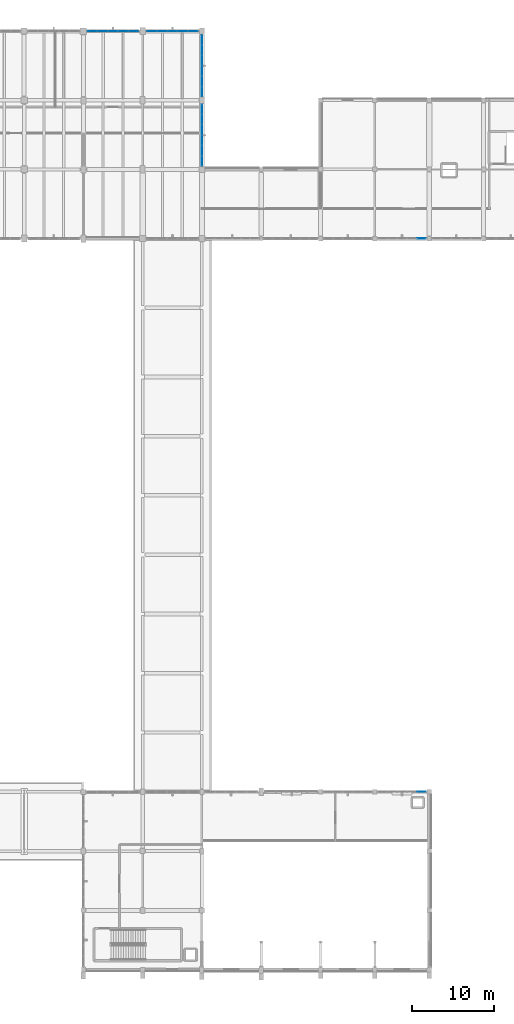
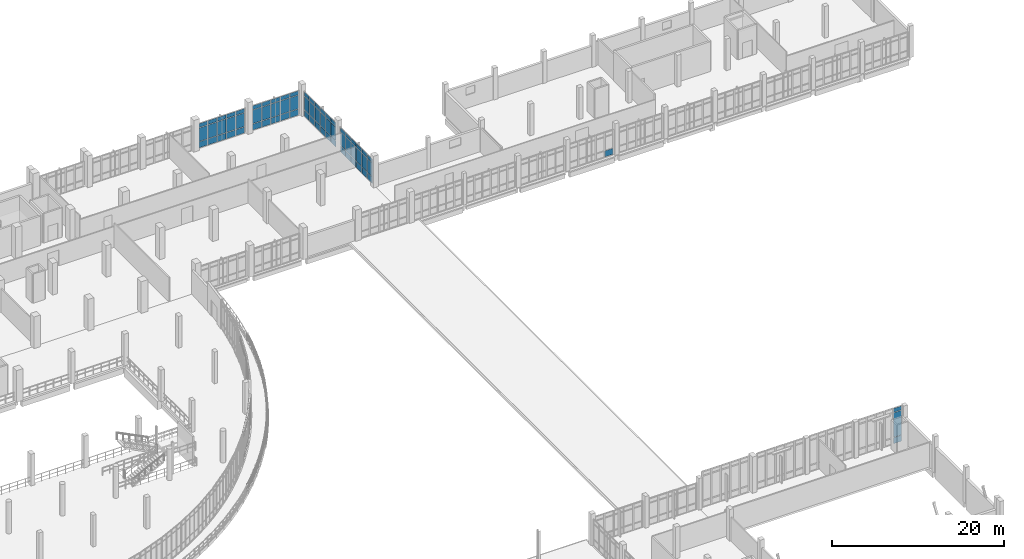
# One storey, part 107 of 134: 70 plates, 6 elements without a shape of their own.
"""IFC4 building model written with IfcOpenShell, lengths in metres."""

from ifc_helpers import new_model, si_unit, direction, frame, origin, origin_2d, place, context, subcontext, project, spatial, rectangle, extrude, material, layer, layer_set, type_object, element, aggregate, save


model = new_model("IFC4")

# Units and contexts
model_context = context("Model", 3, precision=1e-05, world=origin(), true_north=direction((0.0, 1.0)))
body_context = subcontext(model_context, "Body", "Model", "MODEL_VIEW")
ifc_project = project(units=[si_unit("LENGTHUNIT", "METRE"), si_unit("AREAUNIT", "SQUARE_METRE"), si_unit("VOLUMEUNIT", "CUBIC_METRE"), si_unit("PLANEANGLEUNIT", "RADIAN"), si_unit("MASSUNIT", "GRAM", prefix="KILO")], contexts=[model_context])

# Site, building, storey
site_placement = place(None, origin())
site = spatial("IfcSite", under=ifc_project, at=site_placement, CompositionType="ELEMENT")
building_placement = place(site_placement, origin())
building = spatial("IfcBuilding", under=site, at=building_placement, Name="Kalluvel Institute of Natural Sciences", CompositionType="ELEMENT")
storey_placement = place(building_placement, frame((0.0, 0.0, 5.39990234375)))
storey = spatial("IfcBuildingStorey", under=building, at=storey_placement, Name="L01", CompositionType="ELEMENT", Elevation=5.39990234375)

# Curtain wall, plate
ifc_material_1 = material(Name="Aluminium AW-6063 T6", Category="aluminium")
curtain_wall_type_1 = type_object("IfcCurtainWallType", Name="CW-CLN-45", PredefinedType="USERDEFINED", material=ifc_material_1)
curtain_wall_1_placement = place(storey_placement, origin())
curtain_wall_1 = element("IfcCurtainWall", 1, at=curtain_wall_1_placement, inside=storey, type_object=curtain_wall_type_1, Name="L01 Gothic lancet curtain wall CWA-L01-X1361-Y1028", ObjectType="UNITISED LANCET FACADE", PredefinedType="USERDEFINED")
ifc_material_2 = material(Name="Solar-Control Low-E Laminated Glass", Category="glass")
ifc_layer_1 = layer(ifc_material_2, 0.028076171875)
ifc_layer_set_1 = layer_set([ifc_layer_1], Name="Solar-Control Low-E Laminated Glass")
plate_type_1 = type_object("IfcPlateType", Name="CWP-DGU-28", PredefinedType="CURTAIN_PANEL", material=ifc_layer_set_1)
plate_1_placement = place(storey_placement, frame((141.4638671875, 102.800048828125, 0.065185546875), z_axis=(0.0, 0.0, 1.0), x_axis=(1.0, 0.0, 0.0)))
plate_1 = element("IfcPlate", 2, at=plate_1_placement, type_object=plate_type_1, Name="CW-08 panel 5.1", PredefinedType="CURTAIN_PANEL", context=body_context, shape_type="SweptSolid", body=[
    extrude(rectangle(XDim=1.092529296875, YDim=0.028076171875, at=origin_2d()), origin(), (0.0, 0.0, 1.0), 0.8525390625),
])
aggregate(curtain_wall_1, [plate_1])

# Curtain wall, plates
curtain_wall_type_2 = type_object("IfcCurtainWallType", Name="CW-WET-45", PredefinedType="USERDEFINED", material=ifc_material_1)
curtain_wall_2_placement = place(storey_placement, origin())
curtain_wall_2 = element("IfcCurtainWall", 3, at=curtain_wall_2_placement, inside=storey, type_object=curtain_wall_type_2, Name="L01 Gothic lancet curtain wall CWA-L01-X1008-Y1280", ObjectType="UNITISED LANCET FACADE", PredefinedType="USERDEFINED")
ifc_layer_2 = layer(ifc_material_2, 0.031982421875)
ifc_layer_set_2 = layer_set([ifc_layer_2], Name="Solar-Control Low-E Laminated Glass")
plate_type_2 = type_object("IfcPlateType", Name="CWP-DGU-32", PredefinedType="CURTAIN_PANEL", material=ifc_layer_set_2)
plate_2_placement = place(storey_placement, frame((101.49365234375, 128.0, 0.065185546875), z_axis=(0.0, 0.0, 1.0), x_axis=(1.0, 0.0, 0.0)))
plate_2 = element("IfcPlate", 4, at=plate_2_placement, type_object=plate_type_2, Name="CW-01 panel 1.1", PredefinedType="CURTAIN_PANEL", context=body_context, shape_type="SweptSolid", body=[
    extrude(rectangle(XDim=1.157470703125, YDim=0.031982421875, at=origin_2d()), origin(), (0.0, 0.0, 1.0), 0.8525390625),
])
plate_3_placement = place(storey_placement, frame((101.49365234375, 128.0, 0.982666015625), z_axis=(0.0, 0.0, 1.0), x_axis=(1.0, 0.0, 0.0)))
plate_3 = element("IfcPlate", 5, at=plate_3_placement, type_object=plate_type_2, Name="CW-01 panel 1.2", PredefinedType="CURTAIN_PANEL", context=body_context, shape_type="SweptSolid", body=[
    extrude(rectangle(XDim=1.157470703125, YDim=0.031982421875, at=origin_2d()), origin(), (0.0, 0.0, 1.0), 1.9150390625),
])
plate_4_placement = place(storey_placement, frame((101.49365234375, 128.0, 2.96240234375), z_axis=(0.0, 0.0, 1.0), x_axis=(1.0, 0.0, 0.0)))
plate_4 = element("IfcPlate", 6, at=plate_4_placement, type_object=plate_type_2, Name="CW-01 panel 1.3", PredefinedType="CURTAIN_PANEL", context=body_context, shape_type="SweptSolid", body=[
    extrude(rectangle(XDim=1.157470703125, YDim=0.031982421875, at=origin_2d()), origin(), (0.0, 0.0, 1.0), 0.552490234375),
])
plate_5_placement = place(storey_placement, frame((102.732421875, 128.0, 0.065185546875), z_axis=(0.0, 0.0, 1.0), x_axis=(1.0, 0.0, 0.0)))
plate_5 = element("IfcPlate", 7, at=plate_5_placement, type_object=plate_type_2, Name="CW-01 panel 2.1", PredefinedType="CURTAIN_PANEL", context=body_context, shape_type="SweptSolid", body=[
    extrude(rectangle(XDim=1.18994140625, YDim=0.031982421875, at=origin_2d()), origin(), (0.0, 0.0, 1.0), 0.8525390625),
])
plate_6_placement = place(storey_placement, frame((102.732421875, 128.0, 0.982666015625), z_axis=(0.0, 0.0, 1.0), x_axis=(1.0, 0.0, 0.0)))
plate_6 = element("IfcPlate", 8, at=plate_6_placement, type_object=plate_type_2, Name="CW-01 panel 2.2", PredefinedType="CURTAIN_PANEL", context=body_context, shape_type="SweptSolid", body=[
    extrude(rectangle(XDim=1.18994140625, YDim=0.031982421875, at=origin_2d()), origin(), (0.0, 0.0, 1.0), 1.9150390625),
])
plate_7_placement = place(storey_placement, frame((102.732421875, 128.0, 2.96240234375), z_axis=(0.0, 0.0, 1.0), x_axis=(1.0, 0.0, 0.0)))
plate_7 = element("IfcPlate", 9, at=plate_7_placement, type_object=plate_type_2, Name="CW-01 panel 2.3", PredefinedType="CURTAIN_PANEL", context=body_context, shape_type="SweptSolid", body=[
    extrude(rectangle(XDim=1.18994140625, YDim=0.031982421875, at=origin_2d()), origin(), (0.0, 0.0, 1.0), 0.552490234375),
])
plate_8_placement = place(storey_placement, frame((103.987548828125, 128.0, 0.065185546875), z_axis=(0.0, 0.0, 1.0), x_axis=(1.0, 0.0, 0.0)))
plate_8 = element("IfcPlate", 10, at=plate_8_placement, type_object=plate_type_2, Name="CW-01 panel 3.1", PredefinedType="CURTAIN_PANEL", context=body_context, shape_type="SweptSolid", body=[
    extrude(rectangle(XDim=1.18994140625, YDim=0.031982421875, at=origin_2d()), origin(), (0.0, 0.0, 1.0), 0.8525390625),
])
plate_9_placement = place(storey_placement, frame((103.987548828125, 128.0, 0.982666015625), z_axis=(0.0, 0.0, 1.0), x_axis=(1.0, 0.0, 0.0)))
plate_9 = element("IfcPlate", 11, at=plate_9_placement, type_object=plate_type_2, Name="CW-01 panel 3.2", PredefinedType="CURTAIN_PANEL", context=body_context, shape_type="SweptSolid", body=[
    extrude(rectangle(XDim=1.18994140625, YDim=0.031982421875, at=origin_2d()), origin(), (0.0, 0.0, 1.0), 1.9150390625),
])
plate_10_placement = place(storey_placement, frame((103.987548828125, 128.0, 2.96240234375), z_axis=(0.0, 0.0, 1.0), x_axis=(1.0, 0.0, 0.0)))
plate_10 = element("IfcPlate", 12, at=plate_10_placement, type_object=plate_type_2, Name="CW-01 panel 3.3", PredefinedType="CURTAIN_PANEL", context=body_context, shape_type="SweptSolid", body=[
    extrude(rectangle(XDim=1.18994140625, YDim=0.031982421875, at=origin_2d()), origin(), (0.0, 0.0, 1.0), 0.552490234375),
])
plate_11_placement = place(storey_placement, frame((105.242431640625, 128.0, 0.065185546875), z_axis=(0.0, 0.0, 1.0), x_axis=(1.0, 0.0, 0.0)))
plate_11 = element("IfcPlate", 13, at=plate_11_placement, type_object=plate_type_2, Name="CW-01 panel 4.1", PredefinedType="CURTAIN_PANEL", context=body_context, shape_type="SweptSolid", body=[
    extrude(rectangle(XDim=1.18994140625, YDim=0.031982421875, at=origin_2d()), origin(), (0.0, 0.0, 1.0), 0.8525390625),
])
plate_12_placement = place(storey_placement, frame((105.242431640625, 128.0, 0.982666015625), z_axis=(0.0, 0.0, 1.0), x_axis=(1.0, 0.0, 0.0)))
plate_12 = element("IfcPlate", 14, at=plate_12_placement, type_object=plate_type_2, Name="CW-01 panel 4.2", PredefinedType="CURTAIN_PANEL", context=body_context, shape_type="SweptSolid", body=[
    extrude(rectangle(XDim=1.18994140625, YDim=0.031982421875, at=origin_2d()), origin(), (0.0, 0.0, 1.0), 1.9150390625),
])
plate_13_placement = place(storey_placement, frame((105.242431640625, 128.0, 2.96240234375), z_axis=(0.0, 0.0, 1.0), x_axis=(1.0, 0.0, 0.0)))
plate_13 = element("IfcPlate", 15, at=plate_13_placement, type_object=plate_type_2, Name="CW-01 panel 4.3", PredefinedType="CURTAIN_PANEL", context=body_context, shape_type="SweptSolid", body=[
    extrude(rectangle(XDim=1.18994140625, YDim=0.031982421875, at=origin_2d()), origin(), (0.0, 0.0, 1.0), 0.552490234375),
])
plate_14_placement = place(storey_placement, frame((106.481201171875, 128.0, 0.065185546875), z_axis=(0.0, 0.0, 1.0), x_axis=(1.0, 0.0, 0.0)))
plate_14 = element("IfcPlate", 16, at=plate_14_placement, type_object=plate_type_2, Name="CW-01 panel 5.1", PredefinedType="CURTAIN_PANEL", context=body_context, shape_type="SweptSolid", body=[
    extrude(rectangle(XDim=1.157470703125, YDim=0.031982421875, at=origin_2d()), origin(), (0.0, 0.0, 1.0), 0.8525390625),
])
plate_15_placement = place(storey_placement, frame((106.481201171875, 128.0, 0.982666015625), z_axis=(0.0, 0.0, 1.0), x_axis=(1.0, 0.0, 0.0)))
plate_15 = element("IfcPlate", 17, at=plate_15_placement, type_object=plate_type_2, Name="CW-01 panel 5.2", PredefinedType="CURTAIN_PANEL", context=body_context, shape_type="SweptSolid", body=[
    extrude(rectangle(XDim=1.157470703125, YDim=0.031982421875, at=origin_2d()), origin(), (0.0, 0.0, 1.0), 1.9150390625),
])
plate_16_placement = place(storey_placement, frame((106.481201171875, 128.0, 2.96240234375), z_axis=(0.0, 0.0, 1.0), x_axis=(1.0, 0.0, 0.0)))
plate_16 = element("IfcPlate", 18, at=plate_16_placement, type_object=plate_type_2, Name="CW-01 panel 5.3", PredefinedType="CURTAIN_PANEL", context=body_context, shape_type="SweptSolid", body=[
    extrude(rectangle(XDim=1.157470703125, YDim=0.031982421875, at=origin_2d()), origin(), (0.0, 0.0, 1.0), 0.552490234375),
])
aggregate(curtain_wall_2, [plate_2, plate_3, plate_4, plate_5, plate_6, plate_7, plate_8, plate_9, plate_10, plate_11, plate_12, plate_13, plate_14, plate_15, plate_16])

curtain_wall_3_placement = place(storey_placement, origin())
curtain_wall_3 = element("IfcCurtainWall", 19, at=curtain_wall_3_placement, inside=storey, type_object=curtain_wall_type_2, Name="L01 Gothic lancet curtain wall CWA-L01-X1081-Y1280", ObjectType="UNITISED LANCET FACADE", PredefinedType="USERDEFINED")
plate_17_placement = place(storey_placement, frame((108.71875, 128.0, 0.065185546875), z_axis=(0.0, 0.0, 1.0), x_axis=(1.0, 0.0, 0.0)))
plate_17 = element("IfcPlate", 20, at=plate_17_placement, type_object=plate_type_2, Name="CW-01 panel 1.1", PredefinedType="CURTAIN_PANEL", context=body_context, shape_type="SweptSolid", body=[
    extrude(rectangle(XDim=1.157470703125, YDim=0.031982421875, at=origin_2d()), origin(), (0.0, 0.0, 1.0), 0.8525390625),
])
plate_18_placement = place(storey_placement, frame((108.71875, 128.0, 0.982666015625), z_axis=(0.0, 0.0, 1.0), x_axis=(1.0, 0.0, 0.0)))
plate_18 = element("IfcPlate", 21, at=plate_18_placement, type_object=plate_type_2, Name="CW-01 panel 1.2", PredefinedType="CURTAIN_PANEL", context=body_context, shape_type="SweptSolid", body=[
    extrude(rectangle(XDim=1.157470703125, YDim=0.031982421875, at=origin_2d()), origin(), (0.0, 0.0, 1.0), 1.9150390625),
])
plate_19_placement = place(storey_placement, frame((108.71875, 128.0, 2.96240234375), z_axis=(0.0, 0.0, 1.0), x_axis=(1.0, 0.0, 0.0)))
plate_19 = element("IfcPlate", 22, at=plate_19_placement, type_object=plate_type_2, Name="CW-01 panel 1.3", PredefinedType="CURTAIN_PANEL", context=body_context, shape_type="SweptSolid", body=[
    extrude(rectangle(XDim=1.157470703125, YDim=0.031982421875, at=origin_2d()), origin(), (0.0, 0.0, 1.0), 0.552490234375),
])
plate_20_placement = place(storey_placement, frame((109.95751953125, 128.0, 0.065185546875), z_axis=(0.0, 0.0, 1.0), x_axis=(1.0, 0.0, 0.0)))
plate_20 = element("IfcPlate", 23, at=plate_20_placement, type_object=plate_type_2, Name="CW-01 panel 2.1", PredefinedType="CURTAIN_PANEL", context=body_context, shape_type="SweptSolid", body=[
    extrude(rectangle(XDim=1.18994140625, YDim=0.031982421875, at=origin_2d()), origin(), (0.0, 0.0, 1.0), 0.8525390625),
])
plate_21_placement = place(storey_placement, frame((109.95751953125, 128.0, 0.982666015625), z_axis=(0.0, 0.0, 1.0), x_axis=(1.0, 0.0, 0.0)))
plate_21 = element("IfcPlate", 24, at=plate_21_placement, type_object=plate_type_2, Name="CW-01 panel 2.2", PredefinedType="CURTAIN_PANEL", context=body_context, shape_type="SweptSolid", body=[
    extrude(rectangle(XDim=1.18994140625, YDim=0.031982421875, at=origin_2d()), origin(), (0.0, 0.0, 1.0), 1.9150390625),
])
plate_22_placement = place(storey_placement, frame((109.95751953125, 128.0, 2.96240234375), z_axis=(0.0, 0.0, 1.0), x_axis=(1.0, 0.0, 0.0)))
plate_22 = element("IfcPlate", 25, at=plate_22_placement, type_object=plate_type_2, Name="CW-01 panel 2.3", PredefinedType="CURTAIN_PANEL", context=body_context, shape_type="SweptSolid", body=[
    extrude(rectangle(XDim=1.18994140625, YDim=0.031982421875, at=origin_2d()), origin(), (0.0, 0.0, 1.0), 0.552490234375),
])
plate_23_placement = place(storey_placement, frame((111.21240234375, 128.0, 0.065185546875), z_axis=(0.0, 0.0, 1.0), x_axis=(1.0, 0.0, 0.0)))
plate_23 = element("IfcPlate", 26, at=plate_23_placement, type_object=plate_type_2, Name="CW-01 panel 3.1", PredefinedType="CURTAIN_PANEL", context=body_context, shape_type="SweptSolid", body=[
    extrude(rectangle(XDim=1.18994140625, YDim=0.031982421875, at=origin_2d()), origin(), (0.0, 0.0, 1.0), 0.8525390625),
])
plate_24_placement = place(storey_placement, frame((111.21240234375, 128.0, 0.982666015625), z_axis=(0.0, 0.0, 1.0), x_axis=(1.0, 0.0, 0.0)))
plate_24 = element("IfcPlate", 27, at=plate_24_placement, type_object=plate_type_2, Name="CW-01 panel 3.2", PredefinedType="CURTAIN_PANEL", context=body_context, shape_type="SweptSolid", body=[
    extrude(rectangle(XDim=1.18994140625, YDim=0.031982421875, at=origin_2d()), origin(), (0.0, 0.0, 1.0), 1.9150390625),
])
plate_25_placement = place(storey_placement, frame((111.21240234375, 128.0, 2.96240234375), z_axis=(0.0, 0.0, 1.0), x_axis=(1.0, 0.0, 0.0)))
plate_25 = element("IfcPlate", 28, at=plate_25_placement, type_object=plate_type_2, Name="CW-01 panel 3.3", PredefinedType="CURTAIN_PANEL", context=body_context, shape_type="SweptSolid", body=[
    extrude(rectangle(XDim=1.18994140625, YDim=0.031982421875, at=origin_2d()), origin(), (0.0, 0.0, 1.0), 0.552490234375),
])
plate_26_placement = place(storey_placement, frame((112.467529296875, 128.0, 0.065185546875), z_axis=(0.0, 0.0, 1.0), x_axis=(1.0, 0.0, 0.0)))
plate_26 = element("IfcPlate", 29, at=plate_26_placement, type_object=plate_type_2, Name="CW-01 panel 4.1", PredefinedType="CURTAIN_PANEL", context=body_context, shape_type="SweptSolid", body=[
    extrude(rectangle(XDim=1.18994140625, YDim=0.031982421875, at=origin_2d()), origin(), (0.0, 0.0, 1.0), 0.8525390625),
])
plate_27_placement = place(storey_placement, frame((112.467529296875, 128.0, 0.982666015625), z_axis=(0.0, 0.0, 1.0), x_axis=(1.0, 0.0, 0.0)))
plate_27 = element("IfcPlate", 30, at=plate_27_placement, type_object=plate_type_2, Name="CW-01 panel 4.2", PredefinedType="CURTAIN_PANEL", context=body_context, shape_type="SweptSolid", body=[
    extrude(rectangle(XDim=1.18994140625, YDim=0.031982421875, at=origin_2d()), origin(), (0.0, 0.0, 1.0), 1.9150390625),
])
plate_28_placement = place(storey_placement, frame((112.467529296875, 128.0, 2.96240234375), z_axis=(0.0, 0.0, 1.0), x_axis=(1.0, 0.0, 0.0)))
plate_28 = element("IfcPlate", 31, at=plate_28_placement, type_object=plate_type_2, Name="CW-01 panel 4.3", PredefinedType="CURTAIN_PANEL", context=body_context, shape_type="SweptSolid", body=[
    extrude(rectangle(XDim=1.18994140625, YDim=0.031982421875, at=origin_2d()), origin(), (0.0, 0.0, 1.0), 0.552490234375),
])
plate_29_placement = place(storey_placement, frame((113.706298828125, 128.0, 0.065185546875), z_axis=(0.0, 0.0, 1.0), x_axis=(1.0, 0.0, 0.0)))
plate_29 = element("IfcPlate", 32, at=plate_29_placement, type_object=plate_type_2, Name="CW-01 panel 5.1", PredefinedType="CURTAIN_PANEL", context=body_context, shape_type="SweptSolid", body=[
    extrude(rectangle(XDim=1.157470703125, YDim=0.031982421875, at=origin_2d()), origin(), (0.0, 0.0, 1.0), 0.8525390625),
])
plate_30_placement = place(storey_placement, frame((113.706298828125, 128.0, 0.982666015625), z_axis=(0.0, 0.0, 1.0), x_axis=(1.0, 0.0, 0.0)))
plate_30 = element("IfcPlate", 33, at=plate_30_placement, type_object=plate_type_2, Name="CW-01 panel 5.2", PredefinedType="CURTAIN_PANEL", context=body_context, shape_type="SweptSolid", body=[
    extrude(rectangle(XDim=1.157470703125, YDim=0.031982421875, at=origin_2d()), origin(), (0.0, 0.0, 1.0), 1.9150390625),
])
plate_31_placement = place(storey_placement, frame((113.706298828125, 128.0, 2.96240234375), z_axis=(0.0, 0.0, 1.0), x_axis=(1.0, 0.0, 0.0)))
plate_31 = element("IfcPlate", 34, at=plate_31_placement, type_object=plate_type_2, Name="CW-01 panel 5.3", PredefinedType="CURTAIN_PANEL", context=body_context, shape_type="SweptSolid", body=[
    extrude(rectangle(XDim=1.157470703125, YDim=0.031982421875, at=origin_2d()), origin(), (0.0, 0.0, 1.0), 0.552490234375),
])
aggregate(curtain_wall_3, [plate_17, plate_18, plate_19, plate_20, plate_21, plate_22, plate_23, plate_24, plate_25, plate_26, plate_27, plate_28, plate_29, plate_30, plate_31])

curtain_wall_4_placement = place(storey_placement, origin())
curtain_wall_4 = element("IfcCurtainWall", 35, at=curtain_wall_4_placement, inside=storey, type_object=curtain_wall_type_2, Name="L01 Gothic lancet curtain wall CWA-L01-X1148-Y1116", ObjectType="UNITISED LANCET FACADE", PredefinedType="USERDEFINED")
plate_32_placement = place(storey_placement, frame((114.800048828125, 112.245361328125, 0.065185546875), z_axis=(0.0, 0.0, 1.0), x_axis=(0.0, 1.0, 0.0)))
plate_32 = element("IfcPlate", 36, at=plate_32_placement, type_object=plate_type_2, Name="CW-01 panel 1.1", PredefinedType="CURTAIN_PANEL", context=body_context, shape_type="SweptSolid", body=[
    extrude(rectangle(XDim=1.160888671875, YDim=0.031982421875, at=origin_2d()), origin(), (0.0, 0.0, 1.0), 0.8525390625),
])
plate_33_placement = place(storey_placement, frame((114.800048828125, 112.245361328125, 0.982666015625), z_axis=(0.0, 0.0, 1.0), x_axis=(0.0, 1.0, 0.0)))
plate_33 = element("IfcPlate", 37, at=plate_33_placement, type_object=plate_type_2, Name="CW-01 panel 1.2", PredefinedType="CURTAIN_PANEL", context=body_context, shape_type="SweptSolid", body=[
    extrude(rectangle(XDim=1.160888671875, YDim=0.031982421875, at=origin_2d()), origin(), (0.0, 0.0, 1.0), 1.9150390625),
])
plate_34_placement = place(storey_placement, frame((114.800048828125, 112.245361328125, 2.96240234375), z_axis=(0.0, 0.0, 1.0), x_axis=(0.0, 1.0, 0.0)))
plate_34 = element("IfcPlate", 38, at=plate_34_placement, type_object=plate_type_2, Name="CW-01 panel 1.3", PredefinedType="CURTAIN_PANEL", context=body_context, shape_type="SweptSolid", body=[
    extrude(rectangle(XDim=1.160888671875, YDim=0.031982421875, at=origin_2d()), origin(), (0.0, 0.0, 1.0), 0.552490234375),
])
plate_35_placement = place(storey_placement, frame((114.800048828125, 113.487548828125, 0.065185546875), z_axis=(0.0, 0.0, 1.0), x_axis=(0.0, 1.0, 0.0)))
plate_35 = element("IfcPlate", 39, at=plate_35_placement, type_object=plate_type_2, Name="CW-01 panel 2.1", PredefinedType="CURTAIN_PANEL", context=body_context, shape_type="SweptSolid", body=[
    extrude(rectangle(XDim=1.193359375, YDim=0.031982421875, at=origin_2d()), origin(), (0.0, 0.0, 1.0), 0.8525390625),
])
plate_36_placement = place(storey_placement, frame((114.800048828125, 113.487548828125, 0.982666015625), z_axis=(0.0, 0.0, 1.0), x_axis=(0.0, 1.0, 0.0)))
plate_36 = element("IfcPlate", 40, at=plate_36_placement, type_object=plate_type_2, Name="CW-01 panel 2.2", PredefinedType="CURTAIN_PANEL", context=body_context, shape_type="SweptSolid", body=[
    extrude(rectangle(XDim=1.193359375, YDim=0.031982421875, at=origin_2d()), origin(), (0.0, 0.0, 1.0), 1.9150390625),
])
plate_37_placement = place(storey_placement, frame((114.800048828125, 113.487548828125, 2.96240234375), z_axis=(0.0, 0.0, 1.0), x_axis=(0.0, 1.0, 0.0)))
plate_37 = element("IfcPlate", 41, at=plate_37_placement, type_object=plate_type_2, Name="CW-01 panel 2.3", PredefinedType="CURTAIN_PANEL", context=body_context, shape_type="SweptSolid", body=[
    extrude(rectangle(XDim=1.193359375, YDim=0.031982421875, at=origin_2d()), origin(), (0.0, 0.0, 1.0), 0.552490234375),
])
plate_38_placement = place(storey_placement, frame((114.800048828125, 114.745849609375, 0.065185546875), z_axis=(0.0, 0.0, 1.0), x_axis=(0.0, 1.0, 0.0)))
plate_38 = element("IfcPlate", 42, at=plate_38_placement, type_object=plate_type_2, Name="CW-01 panel 3.1", PredefinedType="CURTAIN_PANEL", context=body_context, shape_type="SweptSolid", body=[
    extrude(rectangle(XDim=1.193359375, YDim=0.031982421875, at=origin_2d()), origin(), (0.0, 0.0, 1.0), 0.8525390625),
])
plate_39_placement = place(storey_placement, frame((114.800048828125, 114.745849609375, 0.982666015625), z_axis=(0.0, 0.0, 1.0), x_axis=(0.0, 1.0, 0.0)))
plate_39 = element("IfcPlate", 43, at=plate_39_placement, type_object=plate_type_2, Name="CW-01 panel 3.2", PredefinedType="CURTAIN_PANEL", context=body_context, shape_type="SweptSolid", body=[
    extrude(rectangle(XDim=1.193359375, YDim=0.031982421875, at=origin_2d()), origin(), (0.0, 0.0, 1.0), 1.9150390625),
])
plate_40_placement = place(storey_placement, frame((114.800048828125, 114.745849609375, 2.96240234375), z_axis=(0.0, 0.0, 1.0), x_axis=(0.0, 1.0, 0.0)))
plate_40 = element("IfcPlate", 44, at=plate_40_placement, type_object=plate_type_2, Name="CW-01 panel 3.3", PredefinedType="CURTAIN_PANEL", context=body_context, shape_type="SweptSolid", body=[
    extrude(rectangle(XDim=1.193359375, YDim=0.031982421875, at=origin_2d()), origin(), (0.0, 0.0, 1.0), 0.552490234375),
])
plate_41_placement = place(storey_placement, frame((114.800048828125, 116.004150390625, 0.065185546875), z_axis=(0.0, 0.0, 1.0), x_axis=(0.0, 1.0, 0.0)))
plate_41 = element("IfcPlate", 45, at=plate_41_placement, type_object=plate_type_2, Name="CW-01 panel 4.1", PredefinedType="CURTAIN_PANEL", context=body_context, shape_type="SweptSolid", body=[
    extrude(rectangle(XDim=1.193359375, YDim=0.031982421875, at=origin_2d()), origin(), (0.0, 0.0, 1.0), 0.8525390625),
])
plate_42_placement = place(storey_placement, frame((114.800048828125, 116.004150390625, 0.982666015625), z_axis=(0.0, 0.0, 1.0), x_axis=(0.0, 1.0, 0.0)))
plate_42 = element("IfcPlate", 46, at=plate_42_placement, type_object=plate_type_2, Name="CW-01 panel 4.2", PredefinedType="CURTAIN_PANEL", context=body_context, shape_type="SweptSolid", body=[
    extrude(rectangle(XDim=1.193359375, YDim=0.031982421875, at=origin_2d()), origin(), (0.0, 0.0, 1.0), 1.9150390625),
])
plate_43_placement = place(storey_placement, frame((114.800048828125, 116.004150390625, 2.96240234375), z_axis=(0.0, 0.0, 1.0), x_axis=(0.0, 1.0, 0.0)))
plate_43 = element("IfcPlate", 47, at=plate_43_placement, type_object=plate_type_2, Name="CW-01 panel 4.3", PredefinedType="CURTAIN_PANEL", context=body_context, shape_type="SweptSolid", body=[
    extrude(rectangle(XDim=1.193359375, YDim=0.031982421875, at=origin_2d()), origin(), (0.0, 0.0, 1.0), 0.552490234375),
])
plate_44_placement = place(storey_placement, frame((114.800048828125, 117.262451171875, 0.065185546875), z_axis=(0.0, 0.0, 1.0), x_axis=(0.0, 1.0, 0.0)))
plate_44 = element("IfcPlate", 48, at=plate_44_placement, type_object=plate_type_2, Name="CW-01 panel 5.1", PredefinedType="CURTAIN_PANEL", context=body_context, shape_type="SweptSolid", body=[
    extrude(rectangle(XDim=1.193359375, YDim=0.031982421875, at=origin_2d()), origin(), (0.0, 0.0, 1.0), 0.8525390625),
])
plate_45_placement = place(storey_placement, frame((114.800048828125, 117.262451171875, 0.982666015625), z_axis=(0.0, 0.0, 1.0), x_axis=(0.0, 1.0, 0.0)))
plate_45 = element("IfcPlate", 49, at=plate_45_placement, type_object=plate_type_2, Name="CW-01 panel 5.2", PredefinedType="CURTAIN_PANEL", context=body_context, shape_type="SweptSolid", body=[
    extrude(rectangle(XDim=1.193359375, YDim=0.031982421875, at=origin_2d()), origin(), (0.0, 0.0, 1.0), 1.9150390625),
])
plate_46_placement = place(storey_placement, frame((114.800048828125, 117.262451171875, 2.96240234375), z_axis=(0.0, 0.0, 1.0), x_axis=(0.0, 1.0, 0.0)))
plate_46 = element("IfcPlate", 50, at=plate_46_placement, type_object=plate_type_2, Name="CW-01 panel 5.3", PredefinedType="CURTAIN_PANEL", context=body_context, shape_type="SweptSolid", body=[
    extrude(rectangle(XDim=1.193359375, YDim=0.031982421875, at=origin_2d()), origin(), (0.0, 0.0, 1.0), 0.552490234375),
])
plate_47_placement = place(storey_placement, frame((114.800048828125, 118.504638671875, 0.065185546875), z_axis=(0.0, 0.0, 1.0), x_axis=(0.0, 1.0, 0.0)))
plate_47 = element("IfcPlate", 51, at=plate_47_placement, type_object=plate_type_2, Name="CW-01 panel 6.1", PredefinedType="CURTAIN_PANEL", context=body_context, shape_type="SweptSolid", body=[
    extrude(rectangle(XDim=1.160888671875, YDim=0.031982421875, at=origin_2d()), origin(), (0.0, 0.0, 1.0), 0.8525390625),
])
plate_48_placement = place(storey_placement, frame((114.800048828125, 118.504638671875, 0.982666015625), z_axis=(0.0, 0.0, 1.0), x_axis=(0.0, 1.0, 0.0)))
plate_48 = element("IfcPlate", 52, at=plate_48_placement, type_object=plate_type_2, Name="CW-01 panel 6.2", PredefinedType="CURTAIN_PANEL", context=body_context, shape_type="SweptSolid", body=[
    extrude(rectangle(XDim=1.160888671875, YDim=0.031982421875, at=origin_2d()), origin(), (0.0, 0.0, 1.0), 1.9150390625),
])
plate_49_placement = place(storey_placement, frame((114.800048828125, 118.504638671875, 2.96240234375), z_axis=(0.0, 0.0, 1.0), x_axis=(0.0, 1.0, 0.0)))
plate_49 = element("IfcPlate", 53, at=plate_49_placement, type_object=plate_type_2, Name="CW-01 panel 6.3", PredefinedType="CURTAIN_PANEL", context=body_context, shape_type="SweptSolid", body=[
    extrude(rectangle(XDim=1.160888671875, YDim=0.031982421875, at=origin_2d()), origin(), (0.0, 0.0, 1.0), 0.552490234375),
])
aggregate(curtain_wall_4, [plate_32, plate_33, plate_34, plate_35, plate_36, plate_37, plate_38, plate_39, plate_40, plate_41, plate_42, plate_43, plate_44, plate_45, plate_46, plate_47, plate_48, plate_49])

curtain_wall_5_placement = place(storey_placement, origin())
curtain_wall_5 = element("IfcCurtainWall", 54, at=curtain_wall_5_placement, inside=storey, type_object=curtain_wall_type_2, Name="L01 Gothic lancet curtain wall CWA-L01-X1148-Y1200", ObjectType="UNITISED LANCET FACADE", PredefinedType="USERDEFINED")
plate_50_placement = place(storey_placement, frame((114.800048828125, 120.691162109375, 0.065185546875), z_axis=(0.0, 0.0, 1.0), x_axis=(0.0, 1.0, 0.0)))
plate_50 = element("IfcPlate", 55, at=plate_50_placement, type_object=plate_type_2, Name="CW-01 panel 1.1", PredefinedType="CURTAIN_PANEL", context=body_context, shape_type="SweptSolid", body=[
    extrude(rectangle(XDim=1.152587890625, YDim=0.031982421875, at=origin_2d()), origin(), (0.0, 0.0, 1.0), 0.8525390625),
])
plate_51_placement = place(storey_placement, frame((114.800048828125, 120.691162109375, 0.982666015625), z_axis=(0.0, 0.0, 1.0), x_axis=(0.0, 1.0, 0.0)))
plate_51 = element("IfcPlate", 56, at=plate_51_placement, type_object=plate_type_2, Name="CW-01 panel 1.2", PredefinedType="CURTAIN_PANEL", context=body_context, shape_type="SweptSolid", body=[
    extrude(rectangle(XDim=1.152587890625, YDim=0.031982421875, at=origin_2d()), origin(), (0.0, 0.0, 1.0), 1.9150390625),
])
plate_52_placement = place(storey_placement, frame((114.800048828125, 120.691162109375, 2.96240234375), z_axis=(0.0, 0.0, 1.0), x_axis=(0.0, 1.0, 0.0)))
plate_52 = element("IfcPlate", 57, at=plate_52_placement, type_object=plate_type_2, Name="CW-01 panel 1.3", PredefinedType="CURTAIN_PANEL", context=body_context, shape_type="SweptSolid", body=[
    extrude(rectangle(XDim=1.152587890625, YDim=0.031982421875, at=origin_2d()), origin(), (0.0, 0.0, 1.0), 0.552490234375),
])
plate_53_placement = place(storey_placement, frame((114.800048828125, 121.925048828125, 0.065185546875), z_axis=(0.0, 0.0, 1.0), x_axis=(0.0, 1.0, 0.0)))
plate_53 = element("IfcPlate", 58, at=plate_53_placement, type_object=plate_type_2, Name="CW-01 panel 2.1", PredefinedType="CURTAIN_PANEL", context=body_context, shape_type="SweptSolid", body=[
    extrude(rectangle(XDim=1.18505859375, YDim=0.031982421875, at=origin_2d()), origin(), (0.0, 0.0, 1.0), 0.8525390625),
])
plate_54_placement = place(storey_placement, frame((114.800048828125, 121.925048828125, 0.982666015625), z_axis=(0.0, 0.0, 1.0), x_axis=(0.0, 1.0, 0.0)))
plate_54 = element("IfcPlate", 59, at=plate_54_placement, type_object=plate_type_2, Name="CW-01 panel 2.2", PredefinedType="CURTAIN_PANEL", context=body_context, shape_type="SweptSolid", body=[
    extrude(rectangle(XDim=1.18505859375, YDim=0.031982421875, at=origin_2d()), origin(), (0.0, 0.0, 1.0), 1.9150390625),
])
plate_55_placement = place(storey_placement, frame((114.800048828125, 121.925048828125, 2.96240234375), z_axis=(0.0, 0.0, 1.0), x_axis=(0.0, 1.0, 0.0)))
plate_55 = element("IfcPlate", 60, at=plate_55_placement, type_object=plate_type_2, Name="CW-01 panel 2.3", PredefinedType="CURTAIN_PANEL", context=body_context, shape_type="SweptSolid", body=[
    extrude(rectangle(XDim=1.18505859375, YDim=0.031982421875, at=origin_2d()), origin(), (0.0, 0.0, 1.0), 0.552490234375),
])
plate_56_placement = place(storey_placement, frame((114.800048828125, 123.175048828125, 0.065185546875), z_axis=(0.0, 0.0, 1.0), x_axis=(0.0, 1.0, 0.0)))
plate_56 = element("IfcPlate", 61, at=plate_56_placement, type_object=plate_type_2, Name="CW-01 panel 3.1", PredefinedType="CURTAIN_PANEL", context=body_context, shape_type="SweptSolid", body=[
    extrude(rectangle(XDim=1.18505859375, YDim=0.031982421875, at=origin_2d()), origin(), (0.0, 0.0, 1.0), 0.8525390625),
])
plate_57_placement = place(storey_placement, frame((114.800048828125, 123.175048828125, 0.982666015625), z_axis=(0.0, 0.0, 1.0), x_axis=(0.0, 1.0, 0.0)))
plate_57 = element("IfcPlate", 62, at=plate_57_placement, type_object=plate_type_2, Name="CW-01 panel 3.2", PredefinedType="CURTAIN_PANEL", context=body_context, shape_type="SweptSolid", body=[
    extrude(rectangle(XDim=1.18505859375, YDim=0.031982421875, at=origin_2d()), origin(), (0.0, 0.0, 1.0), 1.9150390625),
])
plate_58_placement = place(storey_placement, frame((114.800048828125, 123.175048828125, 2.96240234375), z_axis=(0.0, 0.0, 1.0), x_axis=(0.0, 1.0, 0.0)))
plate_58 = element("IfcPlate", 63, at=plate_58_placement, type_object=plate_type_2, Name="CW-01 panel 3.3", PredefinedType="CURTAIN_PANEL", context=body_context, shape_type="SweptSolid", body=[
    extrude(rectangle(XDim=1.18505859375, YDim=0.031982421875, at=origin_2d()), origin(), (0.0, 0.0, 1.0), 0.552490234375),
])
plate_59_placement = place(storey_placement, frame((114.800048828125, 124.425048828125, 0.065185546875), z_axis=(0.0, 0.0, 1.0), x_axis=(0.0, 1.0, 0.0)))
plate_59 = element("IfcPlate", 64, at=plate_59_placement, type_object=plate_type_2, Name="CW-01 panel 4.1", PredefinedType="CURTAIN_PANEL", context=body_context, shape_type="SweptSolid", body=[
    extrude(rectangle(XDim=1.18505859375, YDim=0.031982421875, at=origin_2d()), origin(), (0.0, 0.0, 1.0), 0.8525390625),
])
plate_60_placement = place(storey_placement, frame((114.800048828125, 124.425048828125, 0.982666015625), z_axis=(0.0, 0.0, 1.0), x_axis=(0.0, 1.0, 0.0)))
plate_60 = element("IfcPlate", 65, at=plate_60_placement, type_object=plate_type_2, Name="CW-01 panel 4.2", PredefinedType="CURTAIN_PANEL", context=body_context, shape_type="SweptSolid", body=[
    extrude(rectangle(XDim=1.18505859375, YDim=0.031982421875, at=origin_2d()), origin(), (0.0, 0.0, 1.0), 1.9150390625),
])
plate_61_placement = place(storey_placement, frame((114.800048828125, 124.425048828125, 2.96240234375), z_axis=(0.0, 0.0, 1.0), x_axis=(0.0, 1.0, 0.0)))
plate_61 = element("IfcPlate", 66, at=plate_61_placement, type_object=plate_type_2, Name="CW-01 panel 4.3", PredefinedType="CURTAIN_PANEL", context=body_context, shape_type="SweptSolid", body=[
    extrude(rectangle(XDim=1.18505859375, YDim=0.031982421875, at=origin_2d()), origin(), (0.0, 0.0, 1.0), 0.552490234375),
])
plate_62_placement = place(storey_placement, frame((114.800048828125, 125.675048828125, 0.065185546875), z_axis=(0.0, 0.0, 1.0), x_axis=(0.0, 1.0, 0.0)))
plate_62 = element("IfcPlate", 67, at=plate_62_placement, type_object=plate_type_2, Name="CW-01 panel 5.1", PredefinedType="CURTAIN_PANEL", context=body_context, shape_type="SweptSolid", body=[
    extrude(rectangle(XDim=1.18505859375, YDim=0.031982421875, at=origin_2d()), origin(), (0.0, 0.0, 1.0), 0.8525390625),
])
plate_63_placement = place(storey_placement, frame((114.800048828125, 125.675048828125, 0.982666015625), z_axis=(0.0, 0.0, 1.0), x_axis=(0.0, 1.0, 0.0)))
plate_63 = element("IfcPlate", 68, at=plate_63_placement, type_object=plate_type_2, Name="CW-01 panel 5.2", PredefinedType="CURTAIN_PANEL", context=body_context, shape_type="SweptSolid", body=[
    extrude(rectangle(XDim=1.18505859375, YDim=0.031982421875, at=origin_2d()), origin(), (0.0, 0.0, 1.0), 1.9150390625),
])
plate_64_placement = place(storey_placement, frame((114.800048828125, 125.675048828125, 2.96240234375), z_axis=(0.0, 0.0, 1.0), x_axis=(0.0, 1.0, 0.0)))
plate_64 = element("IfcPlate", 69, at=plate_64_placement, type_object=plate_type_2, Name="CW-01 panel 5.3", PredefinedType="CURTAIN_PANEL", context=body_context, shape_type="SweptSolid", body=[
    extrude(rectangle(XDim=1.18505859375, YDim=0.031982421875, at=origin_2d()), origin(), (0.0, 0.0, 1.0), 0.552490234375),
])
plate_65_placement = place(storey_placement, frame((114.800048828125, 126.90869140625, 0.065185546875), z_axis=(0.0, 0.0, 1.0), x_axis=(0.0, 1.0, 0.0)))
plate_65 = element("IfcPlate", 70, at=plate_65_placement, type_object=plate_type_2, Name="CW-01 panel 6.1", PredefinedType="CURTAIN_PANEL", context=body_context, shape_type="SweptSolid", body=[
    extrude(rectangle(XDim=1.152587890625, YDim=0.031982421875, at=origin_2d()), origin(), (0.0, 0.0, 1.0), 0.8525390625),
])
plate_66_placement = place(storey_placement, frame((114.800048828125, 126.90869140625, 0.982666015625), z_axis=(0.0, 0.0, 1.0), x_axis=(0.0, 1.0, 0.0)))
plate_66 = element("IfcPlate", 71, at=plate_66_placement, type_object=plate_type_2, Name="CW-01 panel 6.2", PredefinedType="CURTAIN_PANEL", context=body_context, shape_type="SweptSolid", body=[
    extrude(rectangle(XDim=1.152587890625, YDim=0.031982421875, at=origin_2d()), origin(), (0.0, 0.0, 1.0), 1.9150390625),
])
plate_67_placement = place(storey_placement, frame((114.800048828125, 126.90869140625, 2.96240234375), z_axis=(0.0, 0.0, 1.0), x_axis=(0.0, 1.0, 0.0)))
plate_67 = element("IfcPlate", 72, at=plate_67_placement, type_object=plate_type_2, Name="CW-01 panel 6.3", PredefinedType="CURTAIN_PANEL", context=body_context, shape_type="SweptSolid", body=[
    extrude(rectangle(XDim=1.152587890625, YDim=0.031982421875, at=origin_2d()), origin(), (0.0, 0.0, 1.0), 0.552490234375),
])
aggregate(curtain_wall_5, [plate_50, plate_51, plate_52, plate_53, plate_54, plate_55, plate_56, plate_57, plate_58, plate_59, plate_60, plate_61, plate_62, plate_63, plate_64, plate_65, plate_66, plate_67])

curtain_wall_type_3 = type_object("IfcCurtainWallType", Name="CW-SPAV-45", PredefinedType="USERDEFINED", material=ifc_material_1)
curtain_wall_6_placement = place(storey_placement, origin())
curtain_wall_6 = element("IfcCurtainWall", 73, at=curtain_wall_6_placement, inside=storey, type_object=curtain_wall_type_3, Name="L01 Gothic lancet curtain wall CWA-L01-X1361-Y356", ObjectType="UNITISED LANCET FACADE", PredefinedType="USERDEFINED")
plate_68_placement = place(storey_placement, frame((141.46240234375, 35.60009765625, 0.0703125), z_axis=(0.0, 0.0, 1.0), x_axis=(1.0, 0.0, 0.0)))
plate_68 = element("IfcPlate", 74, at=plate_68_placement, type_object=plate_type_2, Name="CW-10 panel 5.1", PredefinedType="CURTAIN_PANEL", context=body_context, shape_type="SweptSolid", body=[
    extrude(rectangle(XDim=1.0849609375, YDim=0.031982421875, at=origin_2d()), origin(), (0.0, 0.0, 1.0), 0.844970703125),
])
plate_69_placement = place(storey_placement, frame((141.46240234375, 35.60009765625, 0.985107421875), z_axis=(0.0, 0.0, 1.0), x_axis=(1.0, 0.0, 0.0)))
plate_69 = element("IfcPlate", 75, at=plate_69_placement, type_object=plate_type_2, Name="CW-10 panel 5.2", PredefinedType="CURTAIN_PANEL", context=body_context, shape_type="SweptSolid", body=[
    extrude(rectangle(XDim=1.0849609375, YDim=0.031982421875, at=origin_2d()), origin(), (0.0, 0.0, 1.0), 3.47998046875),
])
plate_70_placement = place(storey_placement, frame((141.46240234375, 35.60009765625, 4.53515625), z_axis=(0.0, 0.0, 1.0), x_axis=(1.0, 0.0, 0.0)))
plate_70 = element("IfcPlate", 76, at=plate_70_placement, type_object=plate_type_2, Name="CW-10 panel 5.3", PredefinedType="CURTAIN_PANEL", context=body_context, shape_type="SweptSolid", body=[
    extrude(rectangle(XDim=1.0849609375, YDim=0.031982421875, at=origin_2d()), origin(), (0.0, 0.0, 1.0), 0.544921875),
])
aggregate(curtain_wall_6, [plate_68, plate_69, plate_70])

save(model, "model.ifc")
